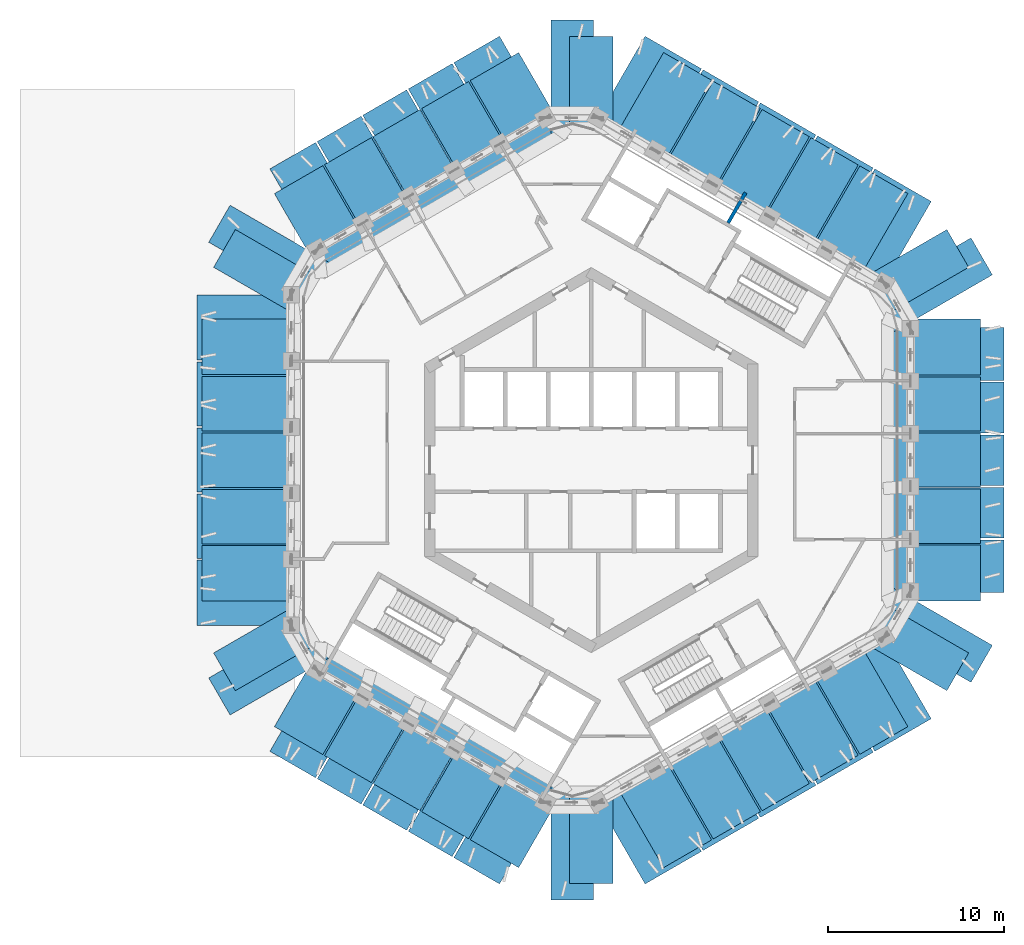
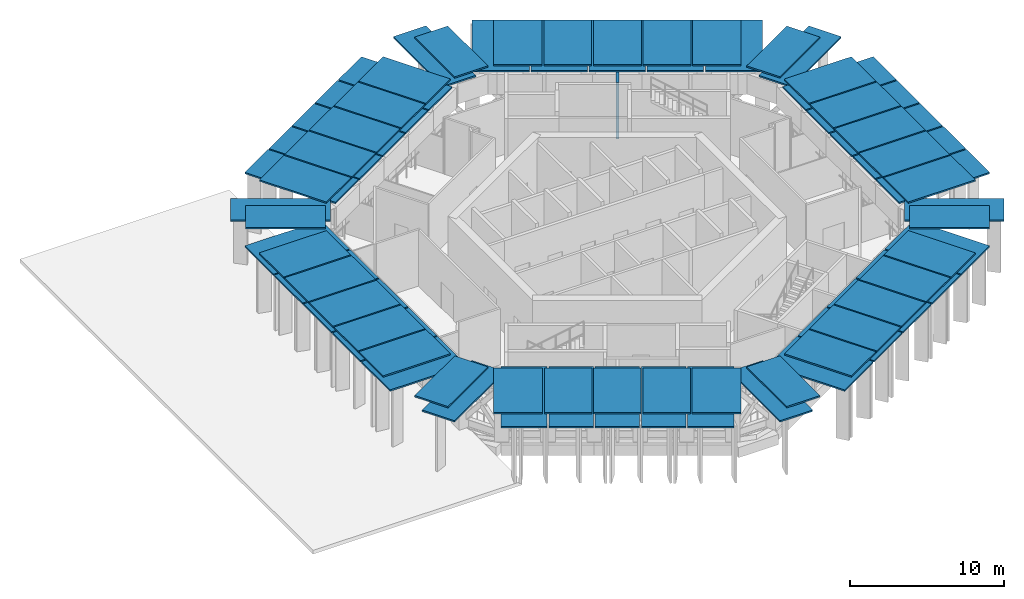
# One storey, part 9 of 15: 72 discrete accessories, 1 wall.
"""IFC4 building model written with IfcOpenShell, lengths in metres."""

import ifcopenshell
import ifcopenshell.guid

model = None  # the IFC model being written
_history = None  # IfcOwnerHistory: only IFC2X3 demands one
_inside = {}  # id of a spatial element -> (the spatial element, [elements in it])
_under = {}  # id of a project, library or spatial element -> (it, [spatial elements below it])
_declared = {}  # id of a project -> (the project, [libraries it declares])
_typed = {}  # id of a type object -> (the type object, [elements of that type])
_made_of = {}  # id of a material, layer set ... -> (it, [elements and type objects made of it])


def new_model(schema):
    """Start an empty IFC model of exactly this schema.

    Asked for "IFC4X3", IfcOpenShell would pick the latest addendum, in which some entities
    have other attributes; the version numbers below select the first issue.
    IFC2X3 requires an IfcOwnerHistory on every rooted entity: one is made here for all.
    """
    global model, _history
    if schema == "IFC4X3":
        model = ifcopenshell.file(schema_version=(4, 3, 0, 0))
    else:
        model = ifcopenshell.file(schema=schema)
    _inside.clear()
    _under.clear()
    _declared.clear()
    _typed.clear()
    _made_of.clear()
    _history = None
    if model.schema == "IFC2X3":
        org = make("IfcOrganization", Name="unknown")
        user = make(
            "IfcPersonAndOrganization",
            ThePerson=make("IfcPerson", FamilyName="unknown"),
            TheOrganization=org,
        )
        app = make(
            "IfcApplication",
            ApplicationDeveloper=org,
            Version="unknown",
            ApplicationFullName="unknown",
            ApplicationIdentifier="unknown",
        )
        _history = make(
            "IfcOwnerHistory",
            OwningUser=user,
            OwningApplication=app,
            ChangeAction="ADDED",
            CreationDate=0,
        )
    return model


def make(cls, **values):
    """One entity of the class cls with the attributes given. An attribute that is None is left unset."""
    return model.create_entity(
        cls, **{name: value for name, value in values.items() if value is not None}
    )


def rooted(cls, **values):
    """An entity with a GlobalId (a new one), such as an element, a storey or a relation."""
    return make(cls, GlobalId=ifcopenshell.guid.new(), OwnerHistory=_history, **values)


def si_unit(unit_type, name, prefix=None):
    """IfcSIUnit, for example si_unit("LENGTHUNIT", "METRE", prefix="MILLI")."""
    return make("IfcSIUnit", UnitType=unit_type, Prefix=prefix, Name=name)


def assignment(units):
    """IfcUnitAssignment: the units of a project."""
    return None if units is None else make("IfcUnitAssignment", Units=units)


def point(xyz):
    """IfcCartesianPoint."""
    return None if xyz is None else make("IfcCartesianPoint", Coordinates=xyz)


def direction(xyz):
    """IfcDirection."""
    return None if xyz is None else make("IfcDirection", DirectionRatios=xyz)


def frame(location, z_axis=None, x_axis=None):
    """IfcAxis2Placement3D, a coordinate frame: its origin and axes. An axis left out is left unset."""
    return make(
        "IfcAxis2Placement3D",
        Location=point(location),
        Axis=direction(z_axis),
        RefDirection=direction(x_axis),
    )


def frame_2d(location, x_axis=None):
    """IfcAxis2Placement2D, a coordinate frame in the plane: its origin and x axis."""
    return make(
        "IfcAxis2Placement2D", Location=point(location), RefDirection=direction(x_axis)
    )


def origin():
    """The frame at (0, 0, 0) with its axes left unset."""
    return frame((0.0, 0.0, 0.0))


def origin_2d():
    """The frame at (0, 0) in the plane with its x axis left unset."""
    return frame_2d((0.0, 0.0))


def place(relative_to, where):
    """IfcLocalPlacement: puts the frame where relative to a parent placement (None: the world)."""
    return make(
        "IfcLocalPlacement", PlacementRelTo=relative_to, RelativePlacement=where
    )


def context(
    kind, dimensions, precision=None, world=None, true_north=None, identifier=None
):
    """IfcGeometricRepresentationContext, for example the 3D "Model" context."""
    return make(
        "IfcGeometricRepresentationContext",
        ContextIdentifier=identifier,
        ContextType=kind,
        CoordinateSpaceDimension=dimensions,
        Precision=precision,
        WorldCoordinateSystem=world,
        TrueNorth=true_north,
    )


def subcontext(parent, identifier, kind, view, scale=None):
    """IfcGeometricRepresentationSubContext, for example "Body" below "Model"."""
    return make(
        "IfcGeometricRepresentationSubContext",
        ContextIdentifier=identifier,
        ContextType=kind,
        ParentContext=parent,
        TargetScale=scale,
        TargetView=view,
    )


def project(units=None, contexts=None):
    """IfcProject with its units and contexts."""
    return rooted(
        "IfcProject",
        Name="project",
        RepresentationContexts=contexts,
        UnitsInContext=assignment(units),
    )


def spatial(cls, under=None, at=None, **own):
    """A site, building, storey or space (cls), placed at a placement, below another one or the project."""
    s = rooted(cls, ObjectPlacement=at, **own)
    if under is not None:
        _under.setdefault(under.id(), (under, []))[1].append(s)
    return s


def profile(cls, at=None, kind="AREA", **sizes):
    """A parametric profile (cls). Its sizes go by their IFC names, for example OverallWidth=200.0."""
    return make(cls, ProfileType=kind, Position=at, **sizes)


def rectangle(**sizes):
    """IfcRectangleProfileDef."""
    return profile("IfcRectangleProfileDef", **sizes)


def extrude(swept, where, along, depth):
    """IfcExtrudedAreaSolid: the profile swept, set in the frame where, extruded along a direction by depth."""
    return make(
        "IfcExtrudedAreaSolid",
        SweptArea=swept,
        Position=where,
        ExtrudedDirection=direction(along),
        Depth=depth,
    )


def shape(context_of_items, identifier, shape_type, items):
    """IfcShapeRepresentation: the items that make up one representation, for example the "Body"."""
    return make(
        "IfcShapeRepresentation",
        ContextOfItems=context_of_items,
        RepresentationIdentifier=identifier,
        RepresentationType=shape_type,
        Items=items,
    )


def material(Name=None, Category=None):
    """IfcMaterial."""
    return make("IfcMaterial", Name=Name, Category=Category)


def layer(
    of_material, thickness, ventilated=None, Name=None, Category=None, Priority=None
):
    """IfcMaterialLayer: one layer of a wall or slab, of a material (None: an air gap)."""
    return make(
        "IfcMaterialLayer",
        Material=of_material,
        LayerThickness=thickness,
        IsVentilated=ventilated,
        Name=Name,
        Category=Category,
        Priority=Priority,
    )


def layer_set(layers, Name=None):
    """IfcMaterialLayerSet."""
    return make("IfcMaterialLayerSet", MaterialLayers=layers, LayerSetName=Name)


def made_of(thing, what):
    """Note that an element or type object is made of a material, layer set ...; save() writes the relation."""
    if what is not None:
        _made_of.setdefault(what.id(), (what, []))[1].append(thing)
    return thing


def type_object(cls, material=None, **own):
    """A type object (cls), such as IfcWallType, which elements share."""
    return made_of(rooted(cls, **own), material)


def element(
    cls,
    number,
    at=None,
    inside=None,
    cuts=None,
    type_object=None,
    material=None,
    context=None,
    identifier="Body",
    shape_type=None,
    held_by="IfcProductDefinitionShape",
    body=None,
    shapes=None,
    **own,
):
    """One element of the class cls, such as IfcWall. Its Tag is "e" and its number.

    at: its placement. inside: the storey or other place that contains it. cuts: it is an
    opening in that element (IfcRelVoidsElement). A single representation is given by context,
    identifier, shape_type and body (its items); several are given by shapes. held_by: the class
    of the entity that holds the representations. save() writes the other relations.
    """
    e = rooted(cls, Tag="e%d" % number, ObjectPlacement=at, **own)
    if body is not None:
        shapes = [shape(context, identifier, shape_type, body)]
    if shapes is not None:
        e.Representation = make(held_by, Representations=shapes)
    if inside is not None:
        _inside.setdefault(inside.id(), (inside, []))[1].append(e)
    if cuts is not None:
        rooted(
            "IfcRelVoidsElement", RelatingBuildingElement=cuts, RelatedOpeningElement=e
        )
    if type_object is not None:
        _typed.setdefault(type_object.id(), (type_object, []))[1].append(e)
    return made_of(e, material)


def aggregate(whole, parts):
    """IfcRelAggregates: a whole, such as a stair, and the parts it consists of."""
    return rooted("IfcRelAggregates", RelatingObject=whole, RelatedObjects=parts)


def save(model, path):
    """Write the relations noted so far, then the file.

    IfcRelAggregates (storeys below a building ...), IfcRelContainedInSpatialStructure (elements
    in a storey), IfcRelDefinesByType, IfcRelAssociatesMaterial and IfcRelDeclares: one each for
    every whole, place, type object, material and project.
    """
    for whole, parts in _under.values():
        aggregate(whole, parts)
    for where, things in _inside.values():
        rooted(
            "IfcRelContainedInSpatialStructure",
            RelatedElements=things,
            RelatingStructure=where,
        )
    for kind, things in _typed.values():
        rooted("IfcRelDefinesByType", RelatedObjects=things, RelatingType=kind)
    for what, things in _made_of.values():
        rooted("IfcRelAssociatesMaterial", RelatedObjects=things, RelatingMaterial=what)
    for by, libraries in _declared.values():
        rooted("IfcRelDeclares", RelatingContext=by, RelatedDefinitions=libraries)
    model.write(path)


model = new_model("IFC4")

# Units and contexts
model_context = context("Model", 3, precision=1e-05, world=origin(), true_north=direction((0.0, 1.0)))
body_context = subcontext(model_context, "Body", "Model", "MODEL_VIEW")
ifc_project = project(units=[si_unit("LENGTHUNIT", "METRE"), si_unit("AREAUNIT", "SQUARE_METRE"), si_unit("VOLUMEUNIT", "CUBIC_METRE"), si_unit("PLANEANGLEUNIT", "RADIAN"), si_unit("MASSUNIT", "GRAM", prefix="KILO")], contexts=[model_context])

# Site, building, storey
site_placement = place(None, origin())
site = spatial("IfcSite", under=ifc_project, at=site_placement, CompositionType="ELEMENT")
building_placement = place(site_placement, origin())
building = spatial("IfcBuilding", under=site, at=building_placement, Name="Ayvan Gate Tower", CompositionType="ELEMENT")
storey_placement = place(building_placement, frame((0.0, 0.0, 214.10009765625)))
storey = spatial("IfcBuildingStorey", under=building, at=storey_placement, Name="L57", CompositionType="ELEMENT", Elevation=214.10009765625)

# Wall
ifc_material_1 = material(Name="Plasterboard on steel stud", Category="steel")
ifc_layer_1 = layer(ifc_material_1, 0.199951171875)
ifc_layer_set_1 = layer_set([ifc_layer_1], Name="Plasterboard on steel stud")
wall_type = type_object("IfcWallType", Name="WT-PLUMB-200", PredefinedType="PLUMBINGWALL", material=ifc_layer_set_1)
wall_placement = place(storey_placement, frame((7.800048828125, 13.510009765625, 0.0), z_axis=(0.0, 0.0, 1.0), x_axis=(0.500013342794, 0.866017700182, 0.0)))
element("IfcWall", 1, at=wall_placement, inside=storey, type_object=wall_type, Name="IW-L57-076", PredefinedType="PLUMBINGWALL", context=body_context, shape_type="SweptSolid", body=[
    extrude(rectangle(XDim=1.98583984375, YDim=0.199951171875, at=frame_2d((0.992919921875, 0.0))), origin(), (0.0, 0.0, 1.0), 4.449951171875),
])

# Discrete accessories
ifc_material_2 = material(Name="Stainless steel 316", Category="steel")
ifc_layer_2 = layer(ifc_material_2, 0.1201171875)
ifc_layer_set_2 = layer_set([ifc_layer_2], Name="Stainless steel 316")
discrete_accessory_type = type_object("IfcDiscreteAccessoryType", Name="Fin carrier bracket", PredefinedType="BRACKET", material=ifc_layer_set_2)
discrete_accessory_1_placement = place(storey_placement, frame((-19.64990234375, -6.4541015625, 4.679931640625), z_axis=(0.0, 0.0, 1.0), x_axis=(0.0, -1.0, 0.0)))
element("IfcDiscreteAccessory", 2, at=discrete_accessory_1_placement, inside=storey, type_object=discrete_accessory_type, Name="Fin carrier 139", PredefinedType="BRACKET", context=body_context, shape_type="SweptSolid", body=[
    extrude(rectangle(XDim=3.15625, YDim=5.02490234375, at=origin_2d()), origin(), (0.0, 0.0, 1.0), 0.1201171875),
])
for number, where, z_axis, x_axis, name in (
    (3, (-19.64990234375, -3.2138671875, 4.679931640625), (0.0, 0.0, 1.0), (0.0, -1.0, 0.0), "Fin carrier 140"),
    (4, (-19.64990234375, 0.0, 4.679931640625), (0.0, 0.0, 1.0), (0.0, -1.0, 0.0), "Fin carrier 141"),
    (5, (-19.64990234375, 3.214111328125, 4.679931640625), (0.0, 0.0, 1.0), (0.0, -1.0, 0.0), "Fin carrier 142"),
):
    element("IfcDiscreteAccessory", number, at=place(storey_placement, frame(where, z_axis=z_axis, x_axis=x_axis)), inside=storey, type_object=discrete_accessory_type, Name=name, PredefinedType="BRACKET", context=body_context, shape_type="SweptSolid", body=[
        extrude(rectangle(XDim=3.10400390625, YDim=5.02490234375, at=origin_2d()), origin(), (0.0, 0.0, 1.0), 0.1201171875),
    ])
discrete_accessory_2_placement = place(storey_placement, frame((-19.64990234375, 6.4541015625, 4.679931640625), z_axis=(0.0, 0.0, 1.0), x_axis=(0.0, -1.0, 0.0)))
element("IfcDiscreteAccessory", 6, at=discrete_accessory_2_placement, inside=storey, type_object=discrete_accessory_type, Name="Fin carrier 143", PredefinedType="BRACKET", context=body_context, shape_type="SweptSolid", body=[
    extrude(rectangle(XDim=3.156005859375, YDim=5.02490234375, at=origin_2d()), origin(), (0.0, 0.0, 1.0), 0.1201171875),
])
for number, where, z_axis, x_axis, name in (
    (7, (-18.635009765625, -10.759033203125, 4.679931640625), (0.0, 0.0, 1.0), (0.5, -0.866025403784, 0.0), "Fin carrier 149"),
    (8, (-18.635009765625, 10.759033203125, 4.679931640625), (0.0, 0.0, 1.0), (-0.5, -0.866025403784, 0.0), "Fin carrier 190"),
):
    element("IfcDiscreteAccessory", number, at=place(storey_placement, frame(where, z_axis=z_axis, x_axis=x_axis)), inside=storey, type_object=discrete_accessory_type, Name=name, PredefinedType="BRACKET", context=body_context, shape_type="SweptSolid", body=[
        extrude(rectangle(XDim=2.482666015625, YDim=5.185546875, at=origin_2d()), origin(), (0.0, 0.0, 1.0), 0.1201171875),
    ])
for number, where, z_axis, x_axis, name in (
    (9, (-15.40087890625, -13.798095703125, 4.679931640625), (0.0, 0.0, 1.0), (0.866025403784, -0.5, 0.0), "Fin carrier 250"),
    (10, (-15.40087890625, 13.798095703125, 4.679931640625), (0.0, 0.0, 1.0), (-0.866025403784, -0.5, 0.0), "Fin carrier 251"),
):
    element("IfcDiscreteAccessory", number, at=place(storey_placement, frame(where, z_axis=z_axis, x_axis=x_axis)), inside=storey, type_object=discrete_accessory_type, Name=name, PredefinedType="BRACKET", context=body_context, shape_type="SweptSolid", body=[
        extrude(rectangle(XDim=3.18701171875, YDim=5.02490234375, at=origin_2d()), origin(), (0.0, 0.0, 1.0), 0.1201171875),
    ])
for number, where, z_axis, x_axis, name in (
    (11, (-12.5908203125, -15.420654296875, 4.679931640625), (0.0, 0.0, 1.0), (0.866025403784, -0.5, 0.0), "Fin carrier 309"),
    (12, (-12.590576171875, 15.420654296875, 4.679931640625), (0.0, 0.0, 1.0), (-0.866025403784, -0.5, 0.0), "Fin carrier 312"),
):
    element("IfcDiscreteAccessory", number, at=place(storey_placement, frame(where, z_axis=z_axis, x_axis=x_axis)), inside=storey, type_object=discrete_accessory_type, Name=name, PredefinedType="BRACKET", context=body_context, shape_type="SweptSolid", body=[
        extrude(rectangle(XDim=3.0830078125, YDim=5.02490234375, at=origin_2d()), origin(), (0.0, 0.0, 1.0), 0.1201171875),
    ])
for number, where, z_axis, x_axis, name in (
    (13, (-9.824951171875, -17.017333984375, 4.679931640625), (0.0, 0.0, 1.0), (0.866025403784, -0.5, 0.0), "Fin carrier 355"),
    (14, (-9.824951171875, 17.017333984375, 4.679931640625), (0.0, 0.0, 1.0), (-0.866025403784, -0.5, 0.0), "Fin carrier 366"),
):
    element("IfcDiscreteAccessory", number, at=place(storey_placement, frame(where, z_axis=z_axis, x_axis=x_axis)), inside=storey, type_object=discrete_accessory_type, Name=name, PredefinedType="BRACKET", context=body_context, shape_type="SweptSolid", body=[
        extrude(rectangle(XDim=3.083984375, YDim=5.02490234375, at=origin_2d()), origin(), (0.0, 0.0, 1.0), 0.1201171875),
    ])
for number, where, z_axis, x_axis, name in (
    (15, (-7.059326171875, -18.614013671875, 4.679931640625), (0.0, 0.0, 1.0), (0.866025403784, -0.5, 0.0), "Fin carrier 417"),
    (16, (-7.059326171875, 18.6142578125, 4.679931640625), (0.0, 0.0, 1.0), (-0.866025403784, -0.5, 0.0), "Fin carrier 419"),
):
    element("IfcDiscreteAccessory", number, at=place(storey_placement, frame(where, z_axis=z_axis, x_axis=x_axis)), inside=storey, type_object=discrete_accessory_type, Name=name, PredefinedType="BRACKET", context=body_context, shape_type="SweptSolid", body=[
        extrude(rectangle(XDim=3.0830078125, YDim=5.02490234375, at=origin_2d()), origin(), (0.0, 0.0, 1.0), 0.1201171875),
    ])
for number, where, z_axis, x_axis, name in (
    (17, (-4.2490234375, -20.236572265625, 4.679931640625), (0.0, 0.0, 1.0), (0.866025403784, -0.5, 0.0), "Fin carrier 481"),
    (18, (-4.2490234375, 20.236572265625, 4.679931640625), (0.0, 0.0, 1.0), (-0.866025403784, -0.5, 0.0), "Fin carrier 482"),
):
    element("IfcDiscreteAccessory", number, at=place(storey_placement, frame(where, z_axis=z_axis, x_axis=x_axis)), inside=storey, type_object=discrete_accessory_type, Name=name, PredefinedType="BRACKET", context=body_context, shape_type="SweptSolid", body=[
        extrude(rectangle(XDim=3.18701171875, YDim=5.02490234375, at=origin_2d()), origin(), (0.0, 0.0, 1.0), 0.1201171875),
    ])
for number, where, z_axis, x_axis, name in (
    (19, (0.0, -21.51806640625, 4.679931640625), (0.0, 0.0, 1.0), (1.0, 0.0, 0.0), "Fin carrier 531"),
    (20, (0.0, 21.51806640625, 4.679931640625), (0.0, 0.0, 1.0), (-1.0, 0.0, 0.0), "Fin carrier 533"),
):
    element("IfcDiscreteAccessory", number, at=place(storey_placement, frame(where, z_axis=z_axis, x_axis=x_axis)), inside=storey, type_object=discrete_accessory_type, Name=name, PredefinedType="BRACKET", context=body_context, shape_type="SweptSolid", body=[
        extrude(rectangle(XDim=2.482666015625, YDim=5.185546875, at=origin_2d()), origin(), (0.0, 0.0, 1.0), 0.1201171875),
    ])
discrete_accessory_3_placement = place(storey_placement, frame((4.235595703125, -20.244384765625, 4.679931640625), z_axis=(0.0, 0.0, 1.0), x_axis=(0.866025403784, 0.5, 0.0)))
element("IfcDiscreteAccessory", 21, at=discrete_accessory_3_placement, inside=storey, type_object=discrete_accessory_type, Name="Fin carrier 576", PredefinedType="BRACKET", context=body_context, shape_type="SweptSolid", body=[
    extrude(rectangle(XDim=3.156005859375, YDim=5.02490234375, at=origin_2d()), origin(), (0.0, 0.0, 1.0), 0.1201171875),
])
discrete_accessory_4_placement = place(storey_placement, frame((4.235595703125, 20.244384765625, 4.679931640625), z_axis=(0.0, 0.0, 1.0), x_axis=(-0.866025403784, 0.5, 0.0)))
element("IfcDiscreteAccessory", 22, at=discrete_accessory_4_placement, inside=storey, type_object=discrete_accessory_type, Name="Fin carrier 579", PredefinedType="BRACKET", context=body_context, shape_type="SweptSolid", body=[
    extrude(rectangle(XDim=3.15625, YDim=5.02490234375, at=origin_2d()), origin(), (0.0, 0.0, 1.0), 0.1201171875),
])
for number, where, z_axis, x_axis, name in (
    (23, (7.04150390625, -18.62451171875, 4.679931640625), (0.0, 0.0, 1.0), (0.866025403784, 0.5, 0.0), "Fin carrier 629"),
    (24, (7.041748046875, 18.624267578125, 4.679931640625), (0.0, 0.0, 1.0), (-0.866025403784, 0.5, 0.0), "Fin carrier 631"),
    (25, (9.824951171875, -17.017333984375, 4.679931640625), (0.0, 0.0, 1.0), (0.866025403784, 0.5, 0.0), "Fin carrier 661"),
    (26, (9.824951171875, 17.017333984375, 4.679931640625), (0.0, 0.0, 1.0), (-0.866025403784, 0.5, 0.0), "Fin carrier 678"),
    (27, (12.6083984375, -15.410400390625, 4.679931640625), (0.0, 0.0, 1.0), (0.866025403784, 0.5, 0.0), "Fin carrier 721"),
    (28, (12.6083984375, 15.410400390625, 4.679931640625), (0.0, 0.0, 1.0), (-0.866025403784, 0.5, 0.0), "Fin carrier 727"),
):
    element("IfcDiscreteAccessory", number, at=place(storey_placement, frame(where, z_axis=z_axis, x_axis=x_axis)), inside=storey, type_object=discrete_accessory_type, Name=name, PredefinedType="BRACKET", context=body_context, shape_type="SweptSolid", body=[
        extrude(rectangle(XDim=3.10400390625, YDim=5.02490234375, at=origin_2d()), origin(), (0.0, 0.0, 1.0), 0.1201171875),
    ])
discrete_accessory_5_placement = place(storey_placement, frame((15.414306640625, -13.790283203125, 4.679931640625), z_axis=(0.0, 0.0, 1.0), x_axis=(0.866025403784, 0.5, 0.0)))
element("IfcDiscreteAccessory", 29, at=discrete_accessory_5_placement, inside=storey, type_object=discrete_accessory_type, Name="Fin carrier 779", PredefinedType="BRACKET", context=body_context, shape_type="SweptSolid", body=[
    extrude(rectangle(XDim=3.15625, YDim=5.02490234375, at=origin_2d()), origin(), (0.0, 0.0, 1.0), 0.1201171875),
])
discrete_accessory_6_placement = place(storey_placement, frame((15.414306640625, 13.790283203125, 4.679931640625), z_axis=(0.0, 0.0, 1.0), x_axis=(-0.866025403784, 0.5, 0.0)))
element("IfcDiscreteAccessory", 30, at=discrete_accessory_6_placement, inside=storey, type_object=discrete_accessory_type, Name="Fin carrier 782", PredefinedType="BRACKET", context=body_context, shape_type="SweptSolid", body=[
    extrude(rectangle(XDim=3.156005859375, YDim=5.02490234375, at=origin_2d()), origin(), (0.0, 0.0, 1.0), 0.1201171875),
])
for number, where, z_axis, x_axis, name in (
    (31, (18.635009765625, -10.759033203125, 4.679931640625), (0.0, 0.0, 1.0), (0.5, 0.866025403784, 0.0), "Fin carrier 831"),
    (32, (18.635009765625, 10.759033203125, 4.679931640625), (0.0, 0.0, 1.0), (-0.5, 0.866025403784, 0.0), "Fin carrier 833"),
):
    element("IfcDiscreteAccessory", number, at=place(storey_placement, frame(where, z_axis=z_axis, x_axis=x_axis)), inside=storey, type_object=discrete_accessory_type, Name=name, PredefinedType="BRACKET", context=body_context, shape_type="SweptSolid", body=[
        extrude(rectangle(XDim=2.482666015625, YDim=5.185546875, at=origin_2d()), origin(), (0.0, 0.0, 1.0), 0.1201171875),
    ])
discrete_accessory_7_placement = place(storey_placement, frame((19.64990234375, -6.4384765625, 4.679931640625), z_axis=(0.0, 0.0, 1.0), x_axis=(0.0, 1.0, 0.0)))
element("IfcDiscreteAccessory", 33, at=discrete_accessory_7_placement, inside=storey, type_object=discrete_accessory_type, Name="Fin carrier 844", PredefinedType="BRACKET", context=body_context, shape_type="SweptSolid", body=[
    extrude(rectangle(XDim=3.18701171875, YDim=5.02490234375, at=origin_2d()), origin(), (0.0, 0.0, 1.0), 0.1201171875),
])
discrete_accessory_8_placement = place(storey_placement, frame((19.64990234375, -3.193603515625, 4.679931640625), z_axis=(0.0, 0.0, 1.0), x_axis=(0.0, 1.0, 0.0)))
element("IfcDiscreteAccessory", 34, at=discrete_accessory_8_placement, inside=storey, type_object=discrete_accessory_type, Name="Fin carrier 855", PredefinedType="BRACKET", context=body_context, shape_type="SweptSolid", body=[
    extrude(rectangle(XDim=3.0830078125, YDim=5.02490234375, at=origin_2d()), origin(), (0.0, 0.0, 1.0), 0.1201171875),
])
discrete_accessory_9_placement = place(storey_placement, frame((19.64990234375, 0.0, 4.679931640625), z_axis=(0.0, 0.0, 1.0), x_axis=(0.0, 1.0, 0.0)))
element("IfcDiscreteAccessory", 35, at=discrete_accessory_9_placement, inside=storey, type_object=discrete_accessory_type, Name="Fin carrier 857", PredefinedType="BRACKET", context=body_context, shape_type="SweptSolid", body=[
    extrude(rectangle(XDim=3.083984375, YDim=5.02490234375, at=origin_2d()), origin(), (0.0, 0.0, 1.0), 0.1201171875),
])
discrete_accessory_10_placement = place(storey_placement, frame((19.64990234375, 3.193359375, 4.679931640625), z_axis=(0.0, 0.0, 1.0), x_axis=(0.0, 1.0, 0.0)))
element("IfcDiscreteAccessory", 36, at=discrete_accessory_10_placement, inside=storey, type_object=discrete_accessory_type, Name="Fin carrier 868", PredefinedType="BRACKET", context=body_context, shape_type="SweptSolid", body=[
    extrude(rectangle(XDim=3.0830078125, YDim=5.02490234375, at=origin_2d()), origin(), (0.0, 0.0, 1.0), 0.1201171875),
])
discrete_accessory_11_placement = place(storey_placement, frame((19.64990234375, 6.4384765625, 4.679931640625), z_axis=(0.0, 0.0, 1.0), x_axis=(0.0, 1.0, 0.0)))
element("IfcDiscreteAccessory", 37, at=discrete_accessory_11_placement, inside=storey, type_object=discrete_accessory_type, Name="Fin carrier 879", PredefinedType="BRACKET", context=body_context, shape_type="SweptSolid", body=[
    extrude(rectangle(XDim=3.18701171875, YDim=5.02490234375, at=origin_2d()), origin(), (0.0, 0.0, 1.0), 0.1201171875),
])
discrete_accessory_12_placement = place(storey_placement, frame((-19.588623046875, -7.553955078125, 4.499755859375), z_axis=(0.0, 0.0, 1.0), x_axis=(0.0, -1.0, 0.0)))
element("IfcDiscreteAccessory", 38, at=discrete_accessory_12_placement, inside=storey, type_object=discrete_accessory_type, Name="Fin carrier 1043", PredefinedType="BRACKET", context=body_context, shape_type="SweptSolid", body=[
    extrude(rectangle(XDim=3.706787109375, YDim=5.702392578125, at=origin_2d()), origin(), (0.0, 0.0, 1.0), 0.1201171875),
])
discrete_accessory_13_placement = place(storey_placement, frame((-19.588623046875, -3.763671875, 4.499755859375), z_axis=(0.0, 0.0, 1.0), x_axis=(0.0, -1.0, 0.0)))
element("IfcDiscreteAccessory", 39, at=discrete_accessory_13_placement, inside=storey, type_object=discrete_accessory_type, Name="Fin carrier 1044", PredefinedType="BRACKET", context=body_context, shape_type="SweptSolid", body=[
    extrude(rectangle(XDim=3.654052734375, YDim=5.702392578125, at=origin_2d()), origin(), (0.0, 0.0, 1.0), 0.1201171875),
])
discrete_accessory_14_placement = place(storey_placement, frame((-19.588623046875, 0.0, 4.499755859375), z_axis=(0.0, 0.0, 1.0), x_axis=(0.0, -1.0, 0.0)))
element("IfcDiscreteAccessory", 40, at=discrete_accessory_14_placement, inside=storey, type_object=discrete_accessory_type, Name="Fin carrier 1045", PredefinedType="BRACKET", context=body_context, shape_type="SweptSolid", body=[
    extrude(rectangle(XDim=3.653076171875, YDim=5.702392578125, at=origin_2d()), origin(), (0.0, 0.0, 1.0), 0.1201171875),
])
discrete_accessory_15_placement = place(storey_placement, frame((-19.588623046875, 3.763427734375, 4.499755859375), z_axis=(0.0, 0.0, 1.0), x_axis=(0.0, -1.0, 0.0)))
element("IfcDiscreteAccessory", 41, at=discrete_accessory_15_placement, inside=storey, type_object=discrete_accessory_type, Name="Fin carrier 1046", PredefinedType="BRACKET", context=body_context, shape_type="SweptSolid", body=[
    extrude(rectangle(XDim=3.654052734375, YDim=5.702392578125, at=origin_2d()), origin(), (0.0, 0.0, 1.0), 0.1201171875),
])
discrete_accessory_16_placement = place(storey_placement, frame((-19.588623046875, 7.553955078125, 4.499755859375), z_axis=(0.0, 0.0, 1.0), x_axis=(0.0, -1.0, 0.0)))
element("IfcDiscreteAccessory", 42, at=discrete_accessory_16_placement, inside=storey, type_object=discrete_accessory_type, Name="Fin carrier 1047", PredefinedType="BRACKET", context=body_context, shape_type="SweptSolid", body=[
    extrude(rectangle(XDim=3.70703125, YDim=5.702392578125, at=origin_2d()), origin(), (0.0, 0.0, 1.0), 0.1201171875),
])
for number, where, z_axis, x_axis, name in (
    (43, (-18.370361328125, -11.84375, 4.499755859375), (0.0, 0.0, 1.0), (0.5, -0.866025403784, 0.0), "Fin carrier 1049"),
    (44, (-18.370361328125, 11.84375, 4.499755859375), (0.0, 0.0, 1.0), (-0.5, -0.866025403784, 0.0), "Fin carrier 1050"),
):
    element("IfcDiscreteAccessory", number, at=place(storey_placement, frame(where, z_axis=z_axis, x_axis=x_axis)), inside=storey, type_object=discrete_accessory_type, Name=name, PredefinedType="BRACKET", context=body_context, shape_type="SweptSolid", body=[
        extrude(rectangle(XDim=2.4345703125, YDim=6.46484375, at=origin_2d()), origin(), (0.0, 0.0, 1.0), 0.1201171875),
    ])
discrete_accessory_17_placement = place(storey_placement, frame((-15.300537109375, -14.404052734375, 4.499755859375), z_axis=(0.0, 0.0, 1.0), x_axis=(0.866025403784, -0.5, 0.0)))
element("IfcDiscreteAccessory", 45, at=discrete_accessory_17_placement, inside=storey, type_object=discrete_accessory_type, Name="Fin carrier 1054", PredefinedType="BRACKET", context=body_context, shape_type="SweptSolid", body=[
    extrude(rectangle(XDim=3.0048828125, YDim=6.77392578125, at=origin_2d()), origin(), (0.0, 0.0, 1.0), 0.1201171875),
])
discrete_accessory_18_placement = place(storey_placement, frame((-15.30029296875, 14.404052734375, 4.499755859375), z_axis=(0.0, 0.0, 1.0), x_axis=(-0.866025403784, -0.5, 0.0)))
element("IfcDiscreteAccessory", 46, at=discrete_accessory_18_placement, inside=storey, type_object=discrete_accessory_type, Name="Fin carrier 1055", PredefinedType="BRACKET", context=body_context, shape_type="SweptSolid", body=[
    extrude(rectangle(XDim=3.005126953125, YDim=6.77392578125, at=origin_2d()), origin(), (0.0, 0.0, 1.0), 0.1201171875),
])
for number, where, z_axis, x_axis, name in (
    (47, (-12.6552734375, -15.931396484375, 4.499755859375), (0.0, 0.0, 1.0), (0.866025403784, -0.5, 0.0), "Fin carrier 1060"),
    (48, (-12.655029296875, 15.931396484375, 4.499755859375), (0.0, 0.0, 1.0), (-0.866025403784, -0.5, 0.0), "Fin carrier 1061"),
    (49, (-10.062255859375, -17.42822265625, 4.499755859375), (0.0, 0.0, 1.0), (0.866025403784, -0.5, 0.0), "Fin carrier 1066"),
    (50, (-10.062255859375, 17.428466796875, 4.499755859375), (0.0, 0.0, 1.0), (-0.866025403784, -0.5, 0.0), "Fin carrier 1067"),
    (51, (-7.469482421875, -18.92529296875, 4.499755859375), (0.0, 0.0, 1.0), (0.866025403784, -0.5, 0.0), "Fin carrier 1071"),
    (52, (-7.46923828125, 18.92529296875, 4.499755859375), (0.0, 0.0, 1.0), (-0.866025403784, -0.5, 0.0), "Fin carrier 1072"),
):
    element("IfcDiscreteAccessory", number, at=place(storey_placement, frame(where, z_axis=z_axis, x_axis=x_axis)), inside=storey, type_object=discrete_accessory_type, Name=name, PredefinedType="BRACKET", context=body_context, shape_type="SweptSolid", body=[
        extrude(rectangle(XDim=2.884033203125, YDim=6.77392578125, at=origin_2d()), origin(), (0.0, 0.0, 1.0), 0.1201171875),
    ])
discrete_accessory_19_placement = place(storey_placement, frame((-4.82421875, -20.45263671875, 4.499755859375), z_axis=(0.0, 0.0, 1.0), x_axis=(0.866025403784, -0.5, 0.0)))
element("IfcDiscreteAccessory", 53, at=discrete_accessory_19_placement, inside=storey, type_object=discrete_accessory_type, Name="Fin carrier 1078", PredefinedType="BRACKET", context=body_context, shape_type="SweptSolid", body=[
    extrude(rectangle(XDim=3.005126953125, YDim=6.77392578125, at=origin_2d()), origin(), (0.0, 0.0, 1.0), 0.1201171875),
])
discrete_accessory_20_placement = place(storey_placement, frame((-4.823974609375, 20.45263671875, 4.499755859375), z_axis=(0.0, 0.0, 1.0), x_axis=(-0.866025403784, -0.5, 0.0)))
element("IfcDiscreteAccessory", 54, at=discrete_accessory_20_placement, inside=storey, type_object=discrete_accessory_type, Name="Fin carrier 1079", PredefinedType="BRACKET", context=body_context, shape_type="SweptSolid", body=[
    extrude(rectangle(XDim=3.0048828125, YDim=6.77392578125, at=origin_2d()), origin(), (0.0, 0.0, 1.0), 0.1201171875),
])
for number, where, z_axis, x_axis, name in (
    (55, (-1.07177734375, -21.8310546875, 4.499755859375), (0.0, 0.0, 1.0), (1.0, 0.0, 0.0), "Fin carrier 1082"),
    (56, (-1.07177734375, 21.8310546875, 4.499755859375), (0.0, 0.0, 1.0), (-1.0, 0.0, 0.0), "Fin carrier 1083"),
):
    element("IfcDiscreteAccessory", number, at=place(storey_placement, frame(where, z_axis=z_axis, x_axis=x_axis)), inside=storey, type_object=discrete_accessory_type, Name=name, PredefinedType="BRACKET", context=body_context, shape_type="SweptSolid", body=[
        extrude(rectangle(XDim=2.4345703125, YDim=6.46484375, at=origin_2d()), origin(), (0.0, 0.0, 1.0), 0.1201171875),
    ])
discrete_accessory_21_placement = place(storey_placement, frame((3.25244140625, -20.7412109375, 4.499755859375), z_axis=(0.0, 0.0, 1.0), x_axis=(0.866025403784, 0.5, 0.0)))
element("IfcDiscreteAccessory", 57, at=discrete_accessory_21_placement, inside=storey, type_object=discrete_accessory_type, Name="Fin carrier 1087", PredefinedType="BRACKET", context=body_context, shape_type="SweptSolid", body=[
    extrude(rectangle(XDim=3.70703125, YDim=5.702392578125, at=origin_2d()), origin(), (0.0, 0.0, 1.0), 0.1201171875),
])
discrete_accessory_22_placement = place(storey_placement, frame((3.25244140625, 20.7412109375, 4.499755859375), z_axis=(0.0, 0.0, 1.0), x_axis=(-0.866025403784, 0.5, 0.0)))
element("IfcDiscreteAccessory", 58, at=discrete_accessory_22_placement, inside=storey, type_object=discrete_accessory_type, Name="Fin carrier 1088", PredefinedType="BRACKET", context=body_context, shape_type="SweptSolid", body=[
    extrude(rectangle(XDim=3.706787109375, YDim=5.702392578125, at=origin_2d()), origin(), (0.0, 0.0, 1.0), 0.1201171875),
])
for number, where, z_axis, x_axis, name in (
    (59, (6.53515625, -18.845947265625, 4.499755859375), (0.0, 0.0, 1.0), (0.866025403784, 0.5, 0.0), "Fin carrier 1092"),
    (60, (6.534912109375, 18.845947265625, 4.499755859375), (0.0, 0.0, 1.0), (-0.866025403784, 0.5, 0.0), "Fin carrier 1093"),
):
    element("IfcDiscreteAccessory", number, at=place(storey_placement, frame(where, z_axis=z_axis, x_axis=x_axis)), inside=storey, type_object=discrete_accessory_type, Name=name, PredefinedType="BRACKET", context=body_context, shape_type="SweptSolid", body=[
        extrude(rectangle(XDim=3.654052734375, YDim=5.702392578125, at=origin_2d()), origin(), (0.0, 0.0, 1.0), 0.1201171875),
    ])
for number, where, z_axis, x_axis, name in (
    (61, (9.79443359375, -16.964111328125, 4.499755859375), (0.0, 0.0, 1.0), (0.866025403784, 0.5, 0.0), "Fin carrier 1098"),
    (62, (9.794189453125, 16.96435546875, 4.499755859375), (0.0, 0.0, 1.0), (-0.866025403784, 0.5, 0.0), "Fin carrier 1099"),
):
    element("IfcDiscreteAccessory", number, at=place(storey_placement, frame(where, z_axis=z_axis, x_axis=x_axis)), inside=storey, type_object=discrete_accessory_type, Name=name, PredefinedType="BRACKET", context=body_context, shape_type="SweptSolid", body=[
        extrude(rectangle(XDim=3.653076171875, YDim=5.702392578125, at=origin_2d()), origin(), (0.0, 0.0, 1.0), 0.1201171875),
    ])
for number, where, z_axis, x_axis, name in (
    (63, (13.0537109375, -15.08251953125, 4.499755859375), (0.0, 0.0, 1.0), (0.866025403784, 0.5, 0.0), "Fin carrier 1104"),
    (64, (13.053466796875, 15.08251953125, 4.499755859375), (0.0, 0.0, 1.0), (-0.866025403784, 0.5, 0.0), "Fin carrier 1105"),
):
    element("IfcDiscreteAccessory", number, at=place(storey_placement, frame(where, z_axis=z_axis, x_axis=x_axis)), inside=storey, type_object=discrete_accessory_type, Name=name, PredefinedType="BRACKET", context=body_context, shape_type="SweptSolid", body=[
        extrude(rectangle(XDim=3.654052734375, YDim=5.702392578125, at=origin_2d()), origin(), (0.0, 0.0, 1.0), 0.1201171875),
    ])
discrete_accessory_23_placement = place(storey_placement, frame((16.336181640625, -13.187255859375, 4.499755859375), z_axis=(0.0, 0.0, 1.0), x_axis=(0.866025403784, 0.5, 0.0)))
element("IfcDiscreteAccessory", 65, at=discrete_accessory_23_placement, inside=storey, type_object=discrete_accessory_type, Name="Fin carrier 1110", PredefinedType="BRACKET", context=body_context, shape_type="SweptSolid", body=[
    extrude(rectangle(XDim=3.706787109375, YDim=5.702392578125, at=origin_2d()), origin(), (0.0, 0.0, 1.0), 0.1201171875),
])
discrete_accessory_24_placement = place(storey_placement, frame((16.336181640625, 13.187255859375, 4.499755859375), z_axis=(0.0, 0.0, 1.0), x_axis=(-0.866025403784, 0.5, 0.0)))
element("IfcDiscreteAccessory", 66, at=discrete_accessory_24_placement, inside=storey, type_object=discrete_accessory_type, Name="Fin carrier 1111", PredefinedType="BRACKET", context=body_context, shape_type="SweptSolid", body=[
    extrude(rectangle(XDim=3.70703125, YDim=5.702392578125, at=origin_2d()), origin(), (0.0, 0.0, 1.0), 0.1201171875),
])
for number, where, z_axis, x_axis, name in (
    (67, (19.442138671875, -9.9873046875, 4.499755859375), (0.0, 0.0, 1.0), (0.5, 0.866025403784, 0.0), "Fin carrier 1115"),
    (68, (19.442138671875, 9.9873046875, 4.499755859375), (0.0, 0.0, 1.0), (-0.5, 0.866025403784, 0.0), "Fin carrier 1116"),
):
    element("IfcDiscreteAccessory", number, at=place(storey_placement, frame(where, z_axis=z_axis, x_axis=x_axis)), inside=storey, type_object=discrete_accessory_type, Name=name, PredefinedType="BRACKET", context=body_context, shape_type="SweptSolid", body=[
        extrude(rectangle(XDim=2.4345703125, YDim=6.46484375, at=origin_2d()), origin(), (0.0, 0.0, 1.0), 0.1201171875),
    ])
discrete_accessory_25_placement = place(storey_placement, frame((20.12451171875, -6.048583984375, 4.499755859375), z_axis=(0.0, 0.0, 1.0), x_axis=(0.0, 1.0, 0.0)))
element("IfcDiscreteAccessory", 69, at=discrete_accessory_25_placement, inside=storey, type_object=discrete_accessory_type, Name="Fin carrier 1118", PredefinedType="BRACKET", context=body_context, shape_type="SweptSolid", body=[
    extrude(rectangle(XDim=3.0048828125, YDim=6.77392578125, at=origin_2d()), origin(), (0.0, 0.0, 1.0), 0.1201171875),
])
for number, where, z_axis, x_axis, name in (
    (70, (20.12451171875, -2.994140625, 4.499755859375), (0.0, 0.0, 1.0), (0.0, 1.0, 0.0), "Fin carrier 1119"),
    (71, (20.12451171875, 0.0, 4.499755859375), (0.0, 0.0, 1.0), (0.0, 1.0, 0.0), "Fin carrier 1120"),
    (72, (20.12451171875, 2.993896484375, 4.499755859375), (0.0, 0.0, 1.0), (0.0, 1.0, 0.0), "Fin carrier 1121"),
):
    element("IfcDiscreteAccessory", number, at=place(storey_placement, frame(where, z_axis=z_axis, x_axis=x_axis)), inside=storey, type_object=discrete_accessory_type, Name=name, PredefinedType="BRACKET", context=body_context, shape_type="SweptSolid", body=[
        extrude(rectangle(XDim=2.884033203125, YDim=6.77392578125, at=origin_2d()), origin(), (0.0, 0.0, 1.0), 0.1201171875),
    ])
discrete_accessory_26_placement = place(storey_placement, frame((20.12451171875, 6.048583984375, 4.499755859375), z_axis=(0.0, 0.0, 1.0), x_axis=(0.0, 1.0, 0.0)))
element("IfcDiscreteAccessory", 73, at=discrete_accessory_26_placement, inside=storey, type_object=discrete_accessory_type, Name="Fin carrier 1122", PredefinedType="BRACKET", context=body_context, shape_type="SweptSolid", body=[
    extrude(rectangle(XDim=3.005126953125, YDim=6.77392578125, at=origin_2d()), origin(), (0.0, 0.0, 1.0), 0.1201171875),
])

save(model, "model.ifc")
